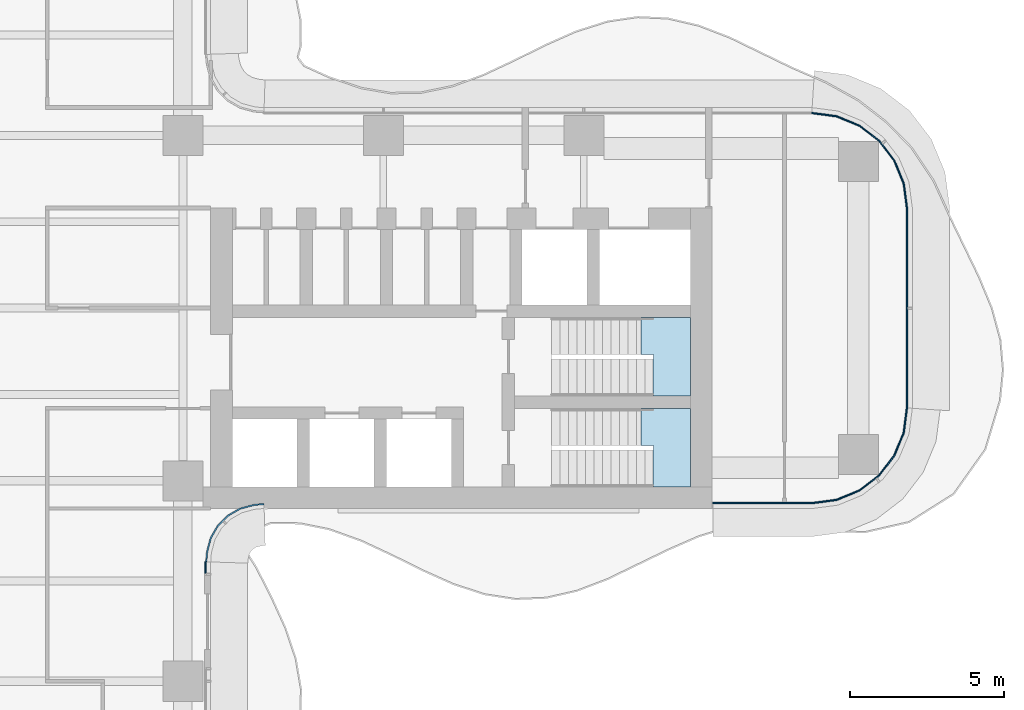
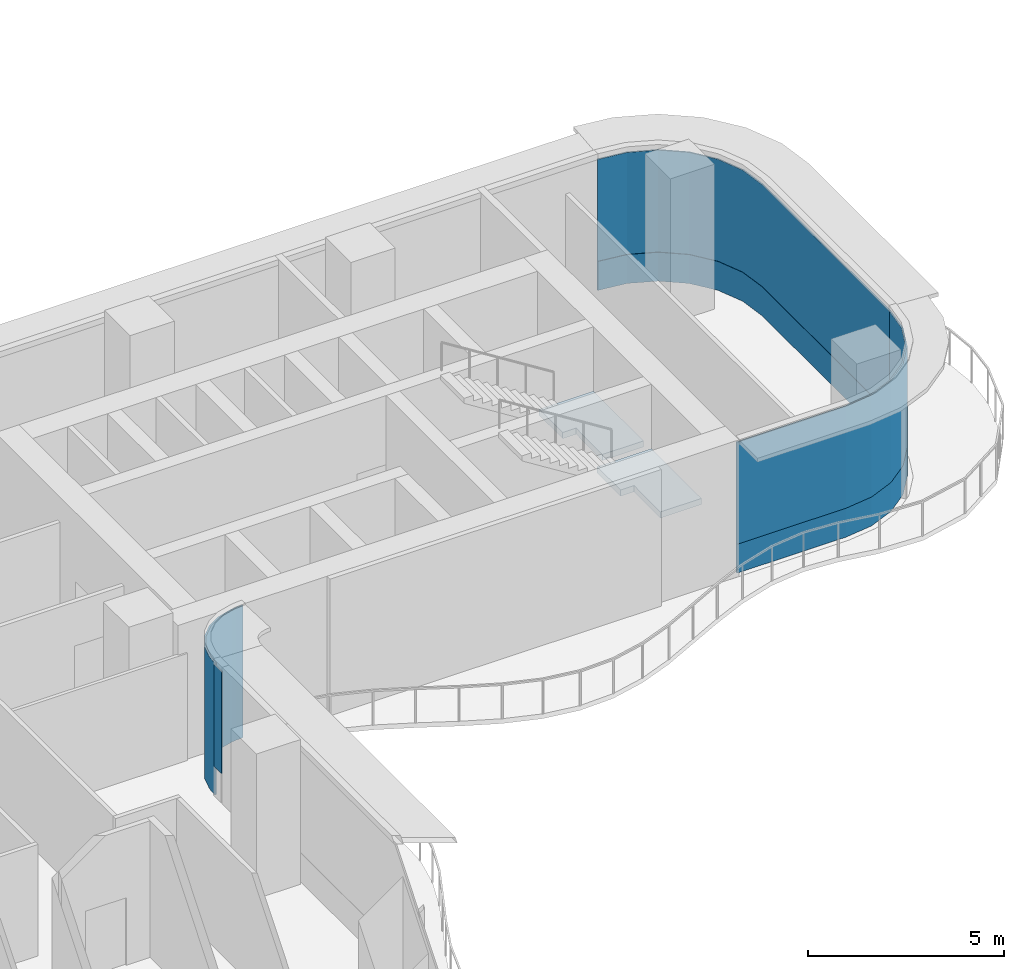
# One storey, part 15 of 23: 6 plates, 2 slabs, 6 elements without a shape of their own.
"""IFC4 building model written with IfcOpenShell, lengths in metres."""

from ifc_helpers import new_model, si_unit, direction, frame, origin, place, context, subcontext, project, spatial, polyline, outline, extrude, source, transform, mapped, material, layer, layer_set, type_object, element, aggregate, save


model = new_model("IFC4")

# Units and contexts
model_context = context("Model", 3, precision=1e-05, world=origin(), true_north=direction((0.0, 1.0)))
body_context = subcontext(model_context, "Body", "Model", "MODEL_VIEW")
ifc_project = project(units=[si_unit("LENGTHUNIT", "METRE"), si_unit("AREAUNIT", "SQUARE_METRE"), si_unit("VOLUMEUNIT", "CUBIC_METRE"), si_unit("PLANEANGLEUNIT", "RADIAN"), si_unit("MASSUNIT", "GRAM", prefix="KILO")], contexts=[model_context])

# Site, building, storey
site_placement = place(None, origin())
site = spatial("IfcSite", under=ifc_project, at=site_placement, CompositionType="ELEMENT")
building_placement = place(site_placement, origin())
building = spatial("IfcBuilding", under=site, at=building_placement, Name="Trellis Farm Tower", CompositionType="ELEMENT")
storey_placement = place(building_placement, frame((0.0, 0.0, 120.0)))
storey = spatial("IfcBuildingStorey", under=building, at=storey_placement, Name="L25", CompositionType="ELEMENT", Elevation=120.0)

# Stair, slab
ifc_material_1 = material(Name="Concrete C50/60", Category="concrete")
stair_type = type_object("IfcStairType", Name="CORE EXIT STAIR 26 RISERS 173 MM", PredefinedType="HALF_TURN_STAIR", material=ifc_material_1)
placement_1 = place(storey_placement, origin())
stair_1 = element("IfcStair", 1, at=placement_1, inside=storey, type_object=stair_type, Name="Exit stair E1", PredefinedType="HALF_TURN_STAIR")
ifc_layer_1 = layer(ifc_material_1, 0.18994140625)
ifc_layer_set_1 = layer_set([ifc_layer_1], Name="CORE STAIR LANDING 190 CONCRETE C50/60")
slab_type = type_object("IfcSlabType", Name="CORE STAIR LANDING 190 CONCRETE C50/60", PredefinedType="LANDING", material=ifc_layer_set_1)
shared_shape_1 = source(origin(), body_context, "Body", "SweptSolid", [
    extrude(outline(polyline([(20.840087890625, -5.800048828125), (20.840087890625, -4.60009765625), (20.85009765625, -4.60009765625), (20.85009765625, -4.449951171875), (20.453125, -4.449951171875), (20.453125, -3.25), (20.85009765625, -3.25), (22.050048828125, -3.25), (22.050048828125, -5.800048828125), (20.85009765625, -5.800048828125), (20.840087890625, -5.800048828125)])), origin(), (0.0, 0.0, 1.0), 0.18994140625),
])
placement_2 = place(storey_placement, frame((0.0, 0.0, 2.06005859375)))
slab_1 = element("IfcSlab", 2, at=placement_2, type_object=slab_type, Name="STE1 landing 1", PredefinedType="LANDING", context=body_context, shape_type="MappedRepresentation", body=[
    mapped(shared_shape_1, transform((0.0, 0.0, 0.0))),
])
aggregate(stair_1, [slab_1])

stair_2 = element("IfcStair", 3, at=placement_1, inside=storey, type_object=stair_type, Name="Exit stair E2", PredefinedType="HALF_TURN_STAIR")
shared_shape_2 = source(origin(), body_context, "Body", "SweptSolid", [
    extrude(outline(polyline([(20.840087890625, -2.85009765625), (20.840087890625, -1.64990234375), (20.85009765625, -1.64990234375), (20.85009765625, -1.5), (20.453125, -1.5), (20.453125, -0.300048828125), (20.85009765625, -0.300048828125), (22.050048828125, -0.300048828125), (22.050048828125, -2.85009765625), (20.85009765625, -2.85009765625), (20.840087890625, -2.85009765625)])), origin(), (0.0, 0.0, 1.0), 0.18994140625),
])
slab_2 = element("IfcSlab", 4, at=placement_2, type_object=slab_type, Name="STE2 landing 1", PredefinedType="LANDING", context=body_context, shape_type="MappedRepresentation", body=[
    mapped(shared_shape_2, transform((0.0, 0.0, 0.0))),
])
aggregate(stair_2, [slab_2])

# Curtain wall, plate
ifc_material_2 = material(Name="Aluminium and glass curtain wall", Category="aluminium")
ifc_layer_2 = layer(ifc_material_2, 0.166015625)
ifc_layer_set_2 = layer_set([ifc_layer_2], Name="WINTER GARDEN CURTAIN WALL CW3")
curtain_wall_type_1 = type_object("IfcCurtainWallType", Name="WINTER GARDEN CURTAIN WALL CW3", PredefinedType="NOTDEFINED", material=ifc_layer_set_2)
curtain_wall_1 = element("IfcCurtainWall", 5, at=placement_1, inside=storey, type_object=curtain_wall_type_1, Name="CW3 002", PredefinedType="NOTDEFINED")
ifc_material_3 = material(Name="Clear insulated glass", Category="glass")
ifc_layer_3 = layer(ifc_material_3, 0.0458984375)
ifc_layer_set_3 = layer_set([ifc_layer_3], Name="CW3 GLASS PANEL 46")
plate_type_1 = type_object("IfcPlateType", Name="CW3 GLASS PANEL 46", PredefinedType="CURTAIN_PANEL", material=ifc_layer_set_3)
shared_shape_3 = source(origin(), body_context, "Body", "SweptSolid", [
    extrude(outline(polyline([(6.3798828125, -8.2275390625), (6.394287109375, -8.0078125), (6.40966796875, -7.89208984375), (6.52490234375, -7.462158203125), (6.7509765625, -7.070556640625), (7.070556640625, -6.7509765625), (7.462158203125, -6.52490234375), (7.89208984375, -6.40966796875), (8.0078125, -6.394287109375), (8.2275390625, -6.3798828125), (8.22607421875, -6.333984375), (8.003173828125, -6.3486328125), (7.883056640625, -6.364501953125), (7.4443359375, -6.48193359375), (7.04248046875, -6.714111328125), (6.714111328125, -7.04248046875), (6.48193359375, -7.4443359375), (6.364501953125, -7.883056640625), (6.3486328125, -8.003173828125), (6.333984375, -8.22607421875), (6.3798828125, -8.2275390625)])), origin(), (0.0, 0.0, 1.0), 4.10009765625),
])
plate_1 = element("IfcPlate", 6, at=placement_1, type_object=plate_type_1, Name="PL3 002", PredefinedType="CURTAIN_PANEL", context=body_context, shape_type="MappedRepresentation", body=[
    mapped(shared_shape_3, transform((0.0, 0.0, 0.0))),
])
aggregate(curtain_wall_1, [plate_1])

# Curtain wall, plates
ifc_layer_4 = layer(ifc_material_2, 0.18994140625)
ifc_layer_set_4 = layer_set([ifc_layer_4], Name="RIBBON CURTAIN WALL CW1")
curtain_wall_type_2 = type_object("IfcCurtainWallType", Name="RIBBON CURTAIN WALL CW1", PredefinedType="NOTDEFINED", material=ifc_layer_set_4)
curtain_wall_2 = element("IfcCurtainWall", 7, at=placement_1, inside=storey, type_object=curtain_wall_type_2, Name="CW1 006", PredefinedType="NOTDEFINED")
ifc_layer_5 = layer(ifc_material_3, 0.0400390625)
ifc_layer_set_5 = layer_set([ifc_layer_5], Name="CW1 GLASS PANEL 40")
plate_type_2 = type_object("IfcPlateType", Name="CW1 GLASS PANEL 40", PredefinedType="CURTAIN_PANEL", material=ifc_layer_set_5)
shared_shape_4 = source(origin(), body_context, "Body", "SweptSolid", [
    extrude(outline(polyline([(22.780029296875, -6.35009765625), (25.990234375, -6.35009765625), (26.802001953125, -6.2431640625), (27.54931640625, -5.93359375), (28.191162109375, -5.441162109375), (28.68359375, -4.79931640625), (28.9931640625, -4.052001953125), (29.10009765625, -3.240234375), (29.06005859375, -3.237548828125), (28.9541015625, -4.04150390625), (28.648681640625, -4.779296875), (28.16259765625, -5.41259765625), (27.529296875, -5.898681640625), (26.79150390625, -6.2041015625), (25.987548828125, -6.31005859375), (22.780029296875, -6.31005859375), (22.780029296875, -6.35009765625)])), origin(), (0.0, 0.0, 1.0), 3.170166015625),
])
placement_3 = place(storey_placement, frame((0.0, 0.0, 0.89990234375)))
plate_2 = element("IfcPlate", 8, at=placement_3, type_object=plate_type_2, Name="PL1 006", PredefinedType="CURTAIN_PANEL", context=body_context, shape_type="MappedRepresentation", body=[
    mapped(shared_shape_4, transform((0.0, 0.0, 0.0))),
])
ifc_material_4 = material(Name="Sandstone faced insulated panel", Category="masonry")
ifc_layer_6 = layer(ifc_material_4, 0.050048828125)
ifc_layer_set_6 = layer_set([ifc_layer_6], Name="CW1 STONE SPANDREL PANEL 50")
plate_type_3 = type_object("IfcPlateType", Name="CW1 STONE SPANDREL PANEL 50", PredefinedType="CURTAIN_PANEL", material=ifc_layer_set_6)
shared_shape_5 = source(origin(), body_context, "Body", "SweptSolid", [
    extrude(outline(polyline([(22.780029296875, -6.35009765625), (25.990234375, -6.35009765625), (26.802001953125, -6.2431640625), (27.54931640625, -5.93359375), (28.191162109375, -5.441162109375), (28.68359375, -4.79931640625), (28.9931640625, -4.052001953125), (29.10009765625, -3.240234375), (29.050048828125, -3.23681640625), (28.9443359375, -4.0390625), (28.639892578125, -4.774169921875), (28.155517578125, -5.405517578125), (27.524169921875, -5.889892578125), (26.7890625, -6.1943359375), (25.98681640625, -6.300048828125), (22.780029296875, -6.300048828125), (22.780029296875, -6.35009765625)])), origin(), (0.0, 0.0, 1.0), 0.89990234375),
])
plate_3 = element("IfcPlate", 9, at=placement_1, type_object=plate_type_3, Name="PS1 006", PredefinedType="CURTAIN_PANEL", context=body_context, shape_type="MappedRepresentation", body=[
    mapped(shared_shape_5, transform((0.0, 0.0, 0.0))),
])
aggregate(curtain_wall_2, [plate_2, plate_3])

curtain_wall_3 = element("IfcCurtainWall", 10, at=placement_1, inside=storey, type_object=curtain_wall_type_2, Name="CW1 007", PredefinedType="NOTDEFINED")
shared_shape_6 = source(origin(), body_context, "Body", "SweptSolid", [
    extrude(outline(polyline([(29.10009765625, -3.240234375), (29.10009765625, 3.240234375), (28.9931640625, 4.052001953125), (28.68359375, 4.79931640625), (28.191162109375, 5.441162109375), (27.54931640625, 5.93359375), (26.802001953125, 6.2431640625), (25.990234375, 6.35009765625), (25.987548828125, 6.31005859375), (26.79150390625, 6.2041015625), (27.529296875, 5.898681640625), (28.16259765625, 5.41259765625), (28.648681640625, 4.779296875), (28.9541015625, 4.04150390625), (29.06005859375, 3.237548828125), (29.06005859375, -3.237548828125), (29.10009765625, -3.240234375)])), origin(), (0.0, 0.0, 1.0), 3.170166015625),
])
plate_4 = element("IfcPlate", 11, at=placement_3, type_object=plate_type_2, Name="PL1 007", PredefinedType="CURTAIN_PANEL", context=body_context, shape_type="MappedRepresentation", body=[
    mapped(shared_shape_6, transform((0.0, 0.0, 0.0))),
])
shared_shape_7 = source(origin(), body_context, "Body", "SweptSolid", [
    extrude(outline(polyline([(29.10009765625, -3.240234375), (29.10009765625, 3.240234375), (28.9931640625, 4.052001953125), (28.68359375, 4.79931640625), (28.191162109375, 5.441162109375), (27.54931640625, 5.93359375), (26.802001953125, 6.2431640625), (25.990234375, 6.35009765625), (25.98681640625, 6.300048828125), (26.7890625, 6.1943359375), (27.524169921875, 5.889892578125), (28.155517578125, 5.405517578125), (28.639892578125, 4.774169921875), (28.9443359375, 4.0390625), (29.050048828125, 3.23681640625), (29.050048828125, -3.23681640625), (29.10009765625, -3.240234375)])), origin(), (0.0, 0.0, 1.0), 0.89990234375),
])
plate_5 = element("IfcPlate", 12, at=placement_1, type_object=plate_type_3, Name="PS1 007", PredefinedType="CURTAIN_PANEL", context=body_context, shape_type="MappedRepresentation", body=[
    mapped(shared_shape_7, transform((0.0, 0.0, 0.0))),
])
aggregate(curtain_wall_3, [plate_4, plate_5])

# Curtain wall, plate
curtain_wall_4 = element("IfcCurtainWall", 13, at=placement_1, inside=storey, type_object=curtain_wall_type_2, Name="CW1 005", PredefinedType="NOTDEFINED")
shared_shape_8 = source(origin(), body_context, "Body", "SweptSolid", [
    extrude(outline(polyline([(6.35009765625, -8.605712890625), (6.35009765625, -8.2265625), (6.31005859375, -8.22509765625), (6.31005859375, -8.605712890625), (6.35009765625, -8.605712890625)])), origin(), (0.0, 0.0, 1.0), 3.170166015625),
])
plate_6 = element("IfcPlate", 14, at=placement_3, type_object=plate_type_2, Name="PL1 005", PredefinedType="CURTAIN_PANEL", context=body_context, shape_type="MappedRepresentation", body=[
    mapped(shared_shape_8, transform((0.0, 0.0, 0.0))),
])
aggregate(curtain_wall_4, [plate_6])

save(model, "model.ifc")
